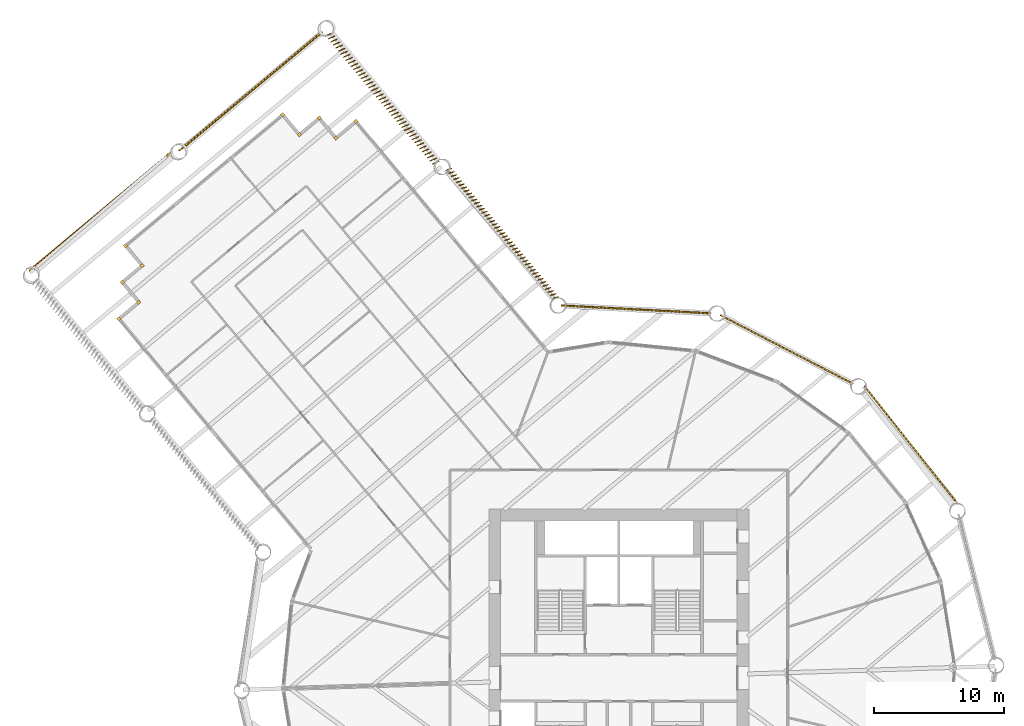
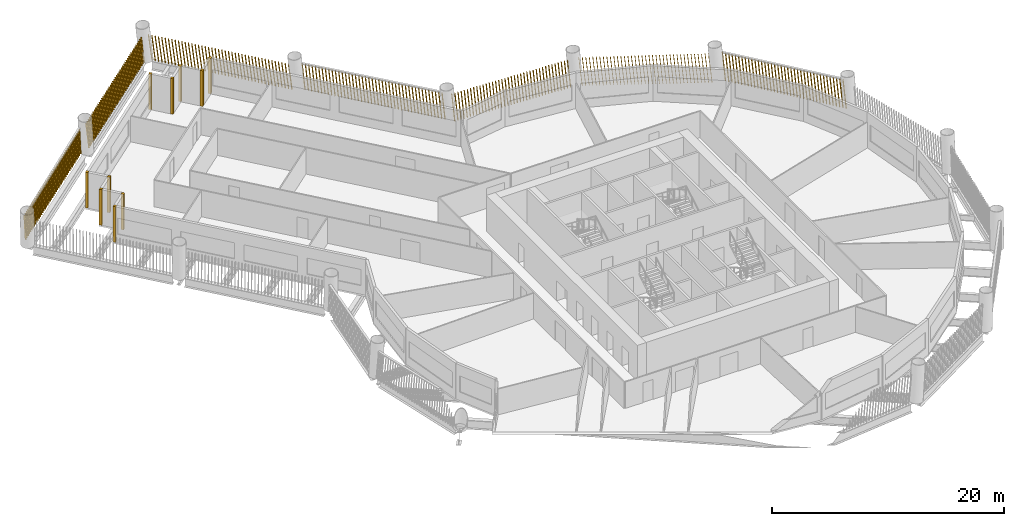
# One storey, part 14 of 15: 17 shading devices.
"""IFC4 building model written with IfcOpenShell, lengths in metres."""

from ifc_helpers import new_model, si_unit, direction, frame, frame_2d, origin, origin_2d, place, context, subcontext, project, spatial, rectangle, composite_profile, extrude, material, type_object, element, save


model = new_model("IFC4")

# Units and contexts
model_context = context("Model", 3, precision=1e-05, world=origin(), true_north=direction((0.0, 1.0)))
body_context = subcontext(model_context, "Body", "Model", "MODEL_VIEW")
ifc_project = project(units=[si_unit("LENGTHUNIT", "METRE"), si_unit("AREAUNIT", "SQUARE_METRE"), si_unit("VOLUMEUNIT", "CUBIC_METRE"), si_unit("PLANEANGLEUNIT", "RADIAN"), si_unit("MASSUNIT", "GRAM", prefix="KILO")], contexts=[model_context])

# Site, building, storey
site_placement = place(None, origin())
site = spatial("IfcSite", under=ifc_project, at=site_placement, CompositionType="ELEMENT")
building_placement = place(site_placement, origin())
building = spatial("IfcBuilding", under=site, at=building_placement, Name="Tarsis Ring Headquarters", CompositionType="ELEMENT")
storey_placement = place(building_placement, frame((0.0, 0.0, 43.89990234375)))
storey = spatial("IfcBuildingStorey", under=building, at=storey_placement, Name="L08", CompositionType="ELEMENT", Elevation=43.89990234375)

# Shading devices
ifc_material = material(Name="Terracotta baguette", Category="masonry")
shading_device_type_1 = type_object("IfcShadingDeviceType", Name="Terracotta baguette screen", PredefinedType="USERDEFINED", material=ifc_material)
shading_device_1_placement = place(storey_placement, frame((26.06103515625, 13.423828125, 0.0), z_axis=(0.0, 0.0, 1.0), x_axis=(-0.619967444384, 0.784633749322, 0.0)))
element("IfcShadingDevice", 1, at=shading_device_1_placement, inside=storey, type_object=shading_device_type_1, Name="Baguette screen L08-12", ObjectType="Terracotta baguette screen", PredefinedType="USERDEFINED", context=body_context, shape_type="SweptSolid", body=[
    extrude(composite_profile([rectangle(XDim=0.06005859375, YDim=0.1201171875, at=frame_2d((0.030029296875, 0.0))), rectangle(XDim=0.06005859375, YDim=0.1201171875, at=frame_2d((0.33251953125, 0.0))), rectangle(XDim=0.06005859375, YDim=0.1201171875, at=frame_2d((0.634765625, 0.0))), rectangle(XDim=0.06005859375, YDim=0.1201171875, at=frame_2d((0.937255859375, 0.0))), rectangle(XDim=0.06005859375, YDim=0.1201171875, at=frame_2d((1.239501953125, 0.0))), rectangle(XDim=0.06005859375, YDim=0.1201171875, at=frame_2d((1.5419921875, 0.0))), rectangle(XDim=0.06005859375, YDim=0.1201171875, at=frame_2d((1.844482421875, 0.0))), rectangle(XDim=0.06005859375, YDim=0.1201171875, at=frame_2d((2.146728515625, 0.0))), rectangle(XDim=0.06005859375, YDim=0.1201171875, at=frame_2d((2.44921875, 0.0))), rectangle(XDim=0.06005859375, YDim=0.1201171875, at=frame_2d((2.751708984375, 0.0))), rectangle(XDim=0.06005859375, YDim=0.1201171875, at=frame_2d((3.053955078125, 0.0))), rectangle(XDim=0.06005859375, YDim=0.1201171875, at=frame_2d((3.3564453125, 0.0))), rectangle(XDim=0.06005859375, YDim=0.1201171875, at=frame_2d((3.65869140625, 0.0))), rectangle(XDim=0.06005859375, YDim=0.1201171875, at=frame_2d((3.961181640625, 0.0))), rectangle(XDim=0.06005859375, YDim=0.1201171875, at=frame_2d((4.263671875, 0.0))), rectangle(XDim=0.06005859375, YDim=0.1201171875, at=frame_2d((4.56591796875, 0.0))), rectangle(XDim=0.06005859375, YDim=0.1201171875, at=frame_2d((4.868408203125, 0.0))), rectangle(XDim=0.06005859375, YDim=0.1201171875, at=frame_2d((5.1708984375, 0.0))), rectangle(XDim=0.06005859375, YDim=0.1201171875, at=frame_2d((5.47314453125, 0.0))), rectangle(XDim=0.06005859375, YDim=0.1201171875, at=frame_2d((5.775634765625, 0.0))), rectangle(XDim=0.06005859375, YDim=0.1201171875, at=frame_2d((6.077880859375, 0.0))), rectangle(XDim=0.06005859375, YDim=0.1201171875, at=frame_2d((6.38037109375, 0.0))), rectangle(XDim=0.06005859375, YDim=0.1201171875, at=frame_2d((6.682861328125, 0.0))), rectangle(XDim=0.06005859375, YDim=0.1201171875, at=frame_2d((6.985107421875, 0.0))), rectangle(XDim=0.06005859375, YDim=0.1201171875, at=frame_2d((7.28759765625, 0.0))), rectangle(XDim=0.06005859375, YDim=0.1201171875, at=frame_2d((7.590087890625, 0.0))), rectangle(XDim=0.06005859375, YDim=0.1201171875, at=frame_2d((7.892333984375, 0.0))), rectangle(XDim=0.06005859375, YDim=0.1201171875, at=frame_2d((8.19482421875, 0.0))), rectangle(XDim=0.06005859375, YDim=0.1201171875, at=frame_2d((8.4970703125, 0.0))), rectangle(XDim=0.06005859375, YDim=0.1201171875, at=frame_2d((8.799560546875, 0.0))), rectangle(XDim=0.06005859375, YDim=0.1201171875, at=frame_2d((9.10205078125, 0.0))), rectangle(XDim=0.06005859375, YDim=0.1201171875, at=frame_2d((9.404296875, 0.0))), rectangle(XDim=0.06005859375, YDim=0.1201171875, at=frame_2d((9.706787109375, 0.0))), rectangle(XDim=0.06005859375, YDim=0.1201171875, at=frame_2d((10.00927734375, 0.0))), rectangle(XDim=0.06005859375, YDim=0.1201171875, at=frame_2d((10.3115234375, 0.0))), rectangle(XDim=0.06005859375, YDim=0.1201171875, at=frame_2d((10.614013671875, 0.0))), rectangle(XDim=0.06005859375, YDim=0.1201171875, at=frame_2d((10.916259765625, 0.0))), rectangle(XDim=0.06005859375, YDim=0.1201171875, at=frame_2d((11.21875, 0.0)))]), origin(), (0.101510741627, 0.000531881086, 0.994834300995), 2.968017578125),
])
shading_device_2_placement = place(storey_placement, frame((18.038818359375, 22.639404296875, 0.0), z_axis=(0.0, 0.0, 1.0), x_axis=(-0.888269126424, 0.459338035811, 0.0)))
element("IfcShadingDevice", 2, at=shading_device_2_placement, inside=storey, type_object=shading_device_type_1, Name="Baguette screen L08-13", ObjectType="Terracotta baguette screen", PredefinedType="USERDEFINED", context=body_context, shape_type="SweptSolid", body=[
    extrude(composite_profile([rectangle(XDim=0.06005859375, YDim=0.1201171875, at=frame_2d((0.030029296875, 0.0))), rectangle(XDim=0.06005859375, YDim=0.1201171875, at=frame_2d((0.33251953125, 0.0))), rectangle(XDim=0.06005859375, YDim=0.1201171875, at=frame_2d((0.634765625, 0.0))), rectangle(XDim=0.06005859375, YDim=0.1201171875, at=frame_2d((0.937255859375, 0.0))), rectangle(XDim=0.06005859375, YDim=0.1201171875, at=frame_2d((1.239501953125, 0.0))), rectangle(XDim=0.06005859375, YDim=0.1201171875, at=frame_2d((1.5419921875, 0.0))), rectangle(XDim=0.06005859375, YDim=0.1201171875, at=frame_2d((1.844482421875, 0.0))), rectangle(XDim=0.06005859375, YDim=0.1201171875, at=frame_2d((2.146728515625, 0.0))), rectangle(XDim=0.06005859375, YDim=0.1201171875, at=frame_2d((2.44921875, 0.0))), rectangle(XDim=0.06005859375, YDim=0.1201171875, at=frame_2d((2.751708984375, 0.0))), rectangle(XDim=0.06005859375, YDim=0.1201171875, at=frame_2d((3.053955078125, 0.0))), rectangle(XDim=0.06005859375, YDim=0.1201171875, at=frame_2d((3.3564453125, 0.0))), rectangle(XDim=0.06005859375, YDim=0.1201171875, at=frame_2d((3.65869140625, 0.0))), rectangle(XDim=0.06005859375, YDim=0.1201171875, at=frame_2d((3.961181640625, 0.0))), rectangle(XDim=0.06005859375, YDim=0.1201171875, at=frame_2d((4.263671875, 0.0))), rectangle(XDim=0.06005859375, YDim=0.1201171875, at=frame_2d((4.56591796875, 0.0))), rectangle(XDim=0.06005859375, YDim=0.1201171875, at=frame_2d((4.868408203125, 0.0))), rectangle(XDim=0.06005859375, YDim=0.1201171875, at=frame_2d((5.1708984375, 0.0))), rectangle(XDim=0.06005859375, YDim=0.1201171875, at=frame_2d((5.47314453125, 0.0))), rectangle(XDim=0.06005859375, YDim=0.1201171875, at=frame_2d((5.775634765625, 0.0))), rectangle(XDim=0.06005859375, YDim=0.1201171875, at=frame_2d((6.077880859375, 0.0))), rectangle(XDim=0.06005859375, YDim=0.1201171875, at=frame_2d((6.38037109375, 0.0))), rectangle(XDim=0.06005859375, YDim=0.1201171875, at=frame_2d((6.682861328125, 0.0))), rectangle(XDim=0.06005859375, YDim=0.1201171875, at=frame_2d((6.985107421875, 0.0))), rectangle(XDim=0.06005859375, YDim=0.1201171875, at=frame_2d((7.28759765625, 0.0))), rectangle(XDim=0.06005859375, YDim=0.1201171875, at=frame_2d((7.590087890625, 0.0))), rectangle(XDim=0.06005859375, YDim=0.1201171875, at=frame_2d((7.892333984375, 0.0))), rectangle(XDim=0.06005859375, YDim=0.1201171875, at=frame_2d((8.19482421875, 0.0))), rectangle(XDim=0.06005859375, YDim=0.1201171875, at=frame_2d((8.4970703125, 0.0))), rectangle(XDim=0.06005859375, YDim=0.1201171875, at=frame_2d((8.799560546875, 0.0))), rectangle(XDim=0.06005859375, YDim=0.1201171875, at=frame_2d((9.10205078125, 0.0))), rectangle(XDim=0.06005859375, YDim=0.1201171875, at=frame_2d((9.404296875, 0.0))), rectangle(XDim=0.06005859375, YDim=0.1201171875, at=frame_2d((9.706787109375, 0.0))), rectangle(XDim=0.06005859375, YDim=0.1201171875, at=frame_2d((10.00927734375, 0.0))), rectangle(XDim=0.06005859375, YDim=0.1201171875, at=frame_2d((10.3115234375, 0.0))), rectangle(XDim=0.06005859375, YDim=0.1201171875, at=frame_2d((10.614013671875, 0.0))), rectangle(XDim=0.06005859375, YDim=0.1201171875, at=frame_2d((10.916259765625, 0.0))), rectangle(XDim=0.06005859375, YDim=0.1201171875, at=frame_2d((11.21875, 0.0)))]), origin(), (0.100201064399, 0.00052546851, 0.994967070096), 2.967529296875),
])
shading_device_3_placement = place(storey_placement, frame((7.103515625, 28.06201171875, 0.0), z_axis=(0.0, 0.0, 1.0), x_axis=(-0.998632664135, 0.052371134021, 0.0)))
element("IfcShadingDevice", 3, at=shading_device_3_placement, inside=storey, type_object=shading_device_type_1, Name="Baguette screen L08-14", ObjectType="Terracotta baguette screen", PredefinedType="USERDEFINED", context=body_context, shape_type="SweptSolid", body=[
    extrude(composite_profile([rectangle(XDim=0.06005859375, YDim=0.1201171875, at=frame_2d((0.030029296875, 0.0))), rectangle(XDim=0.06005859375, YDim=0.1201171875, at=frame_2d((0.33251953125, 0.0))), rectangle(XDim=0.06005859375, YDim=0.1201171875, at=frame_2d((0.634765625, 0.0))), rectangle(XDim=0.06005859375, YDim=0.1201171875, at=frame_2d((0.937255859375, 0.0))), rectangle(XDim=0.06005859375, YDim=0.1201171875, at=frame_2d((1.239501953125, 0.0))), rectangle(XDim=0.06005859375, YDim=0.1201171875, at=frame_2d((1.5419921875, 0.0))), rectangle(XDim=0.06005859375, YDim=0.1201171875, at=frame_2d((1.844482421875, 0.0))), rectangle(XDim=0.06005859375, YDim=0.1201171875, at=frame_2d((2.146728515625, 0.0))), rectangle(XDim=0.06005859375, YDim=0.1201171875, at=frame_2d((2.44921875, 0.0))), rectangle(XDim=0.06005859375, YDim=0.1201171875, at=frame_2d((2.751708984375, 0.0))), rectangle(XDim=0.06005859375, YDim=0.1201171875, at=frame_2d((3.053955078125, 0.0))), rectangle(XDim=0.06005859375, YDim=0.1201171875, at=frame_2d((3.3564453125, 0.0))), rectangle(XDim=0.06005859375, YDim=0.1201171875, at=frame_2d((3.65869140625, 0.0))), rectangle(XDim=0.06005859375, YDim=0.1201171875, at=frame_2d((3.961181640625, 0.0))), rectangle(XDim=0.06005859375, YDim=0.1201171875, at=frame_2d((4.263671875, 0.0))), rectangle(XDim=0.06005859375, YDim=0.1201171875, at=frame_2d((4.56591796875, 0.0))), rectangle(XDim=0.06005859375, YDim=0.1201171875, at=frame_2d((4.868408203125, 0.0))), rectangle(XDim=0.06005859375, YDim=0.1201171875, at=frame_2d((5.1708984375, 0.0))), rectangle(XDim=0.06005859375, YDim=0.1201171875, at=frame_2d((5.47314453125, 0.0))), rectangle(XDim=0.06005859375, YDim=0.1201171875, at=frame_2d((5.775634765625, 0.0))), rectangle(XDim=0.06005859375, YDim=0.1201171875, at=frame_2d((6.077880859375, 0.0))), rectangle(XDim=0.06005859375, YDim=0.1201171875, at=frame_2d((6.38037109375, 0.0))), rectangle(XDim=0.06005859375, YDim=0.1201171875, at=frame_2d((6.682861328125, 0.0))), rectangle(XDim=0.06005859375, YDim=0.1201171875, at=frame_2d((6.985107421875, 0.0))), rectangle(XDim=0.06005859375, YDim=0.1201171875, at=frame_2d((7.28759765625, 0.0))), rectangle(XDim=0.06005859375, YDim=0.1201171875, at=frame_2d((7.590087890625, 0.0))), rectangle(XDim=0.06005859375, YDim=0.1201171875, at=frame_2d((7.892333984375, 0.0))), rectangle(XDim=0.06005859375, YDim=0.1201171875, at=frame_2d((8.19482421875, 0.0))), rectangle(XDim=0.06005859375, YDim=0.1201171875, at=frame_2d((8.4970703125, 0.0))), rectangle(XDim=0.06005859375, YDim=0.1201171875, at=frame_2d((8.799560546875, 0.0))), rectangle(XDim=0.06005859375, YDim=0.1201171875, at=frame_2d((9.10205078125, 0.0))), rectangle(XDim=0.06005859375, YDim=0.1201171875, at=frame_2d((9.404296875, 0.0))), rectangle(XDim=0.06005859375, YDim=0.1201171875, at=frame_2d((9.706787109375, 0.0))), rectangle(XDim=0.06005859375, YDim=0.1201171875, at=frame_2d((10.00927734375, 0.0))), rectangle(XDim=0.06005859375, YDim=0.1201171875, at=frame_2d((10.3115234375, 0.0))), rectangle(XDim=0.06005859375, YDim=0.1201171875, at=frame_2d((10.614013671875, 0.0))), rectangle(XDim=0.06005859375, YDim=0.1201171875, at=frame_2d((10.916259765625, 0.0))), rectangle(XDim=0.06005859375, YDim=0.1201171875, at=frame_2d((11.21875, 0.0)))]), origin(), (0.100201028151, 0.000525935056, 0.9949670735), 2.967529296875),
])
shading_device_4_placement = place(storey_placement, frame((-4.6611328125, 29.301513671875, 0.0), z_axis=(0.0, 0.0, 1.0), x_axis=(-0.640118831365, 0.768278837421, 0.0)))
element("IfcShadingDevice", 4, at=shading_device_4_placement, inside=storey, type_object=shading_device_type_1, Name="Baguette screen L08-15", ObjectType="Terracotta baguette screen", PredefinedType="USERDEFINED", context=body_context, shape_type="SweptSolid", body=[
    extrude(composite_profile([rectangle(XDim=0.06005859375, YDim=0.1201171875, at=frame_2d((0.030029296875, 0.0))), rectangle(XDim=0.06005859375, YDim=0.1201171875, at=frame_2d((0.335693359375, 0.0))), rectangle(XDim=0.06005859375, YDim=0.1201171875, at=frame_2d((0.6416015625, 0.0))), rectangle(XDim=0.06005859375, YDim=0.1201171875, at=frame_2d((0.947265625, 0.0))), rectangle(XDim=0.06005859375, YDim=0.1201171875, at=frame_2d((1.253173828125, 0.0))), rectangle(XDim=0.06005859375, YDim=0.1201171875, at=frame_2d((1.558837890625, 0.0))), rectangle(XDim=0.06005859375, YDim=0.1201171875, at=frame_2d((1.864501953125, 0.0))), rectangle(XDim=0.06005859375, YDim=0.1201171875, at=frame_2d((2.17041015625, 0.0))), rectangle(XDim=0.06005859375, YDim=0.1201171875, at=frame_2d((2.47607421875, 0.0))), rectangle(XDim=0.06005859375, YDim=0.1201171875, at=frame_2d((2.781982421875, 0.0))), rectangle(XDim=0.06005859375, YDim=0.1201171875, at=frame_2d((3.087646484375, 0.0))), rectangle(XDim=0.06005859375, YDim=0.1201171875, at=frame_2d((3.393310546875, 0.0))), rectangle(XDim=0.06005859375, YDim=0.1201171875, at=frame_2d((3.69921875, 0.0))), rectangle(XDim=0.06005859375, YDim=0.1201171875, at=frame_2d((4.0048828125, 0.0))), rectangle(XDim=0.06005859375, YDim=0.1201171875, at=frame_2d((4.310791015625, 0.0))), rectangle(XDim=0.06005859375, YDim=0.1201171875, at=frame_2d((4.616455078125, 0.0))), rectangle(XDim=0.06005859375, YDim=0.1201171875, at=frame_2d((4.922119140625, 0.0))), rectangle(XDim=0.06005859375, YDim=0.1201171875, at=frame_2d((5.22802734375, 0.0))), rectangle(XDim=0.06005859375, YDim=0.1201171875, at=frame_2d((5.53369140625, 0.0))), rectangle(XDim=0.06005859375, YDim=0.1201171875, at=frame_2d((5.839599609375, 0.0))), rectangle(XDim=0.06005859375, YDim=0.1201171875, at=frame_2d((6.145263671875, 0.0))), rectangle(XDim=0.06005859375, YDim=0.1201171875, at=frame_2d((6.451171875, 0.0))), rectangle(XDim=0.06005859375, YDim=0.1201171875, at=frame_2d((6.7568359375, 0.0))), rectangle(XDim=0.06005859375, YDim=0.1201171875, at=frame_2d((7.0625, 0.0))), rectangle(XDim=0.06005859375, YDim=0.1201171875, at=frame_2d((7.368408203125, 0.0))), rectangle(XDim=0.06005859375, YDim=0.1201171875, at=frame_2d((7.674072265625, 0.0))), rectangle(XDim=0.06005859375, YDim=0.1201171875, at=frame_2d((7.97998046875, 0.0))), rectangle(XDim=0.06005859375, YDim=0.1201171875, at=frame_2d((8.28564453125, 0.0))), rectangle(XDim=0.06005859375, YDim=0.1201171875, at=frame_2d((8.59130859375, 0.0))), rectangle(XDim=0.06005859375, YDim=0.1201171875, at=frame_2d((8.897216796875, 0.0))), rectangle(XDim=0.06005859375, YDim=0.1201171875, at=frame_2d((9.202880859375, 0.0))), rectangle(XDim=0.06005859375, YDim=0.1201171875, at=frame_2d((9.5087890625, 0.0))), rectangle(XDim=0.06005859375, YDim=0.1201171875, at=frame_2d((9.814453125, 0.0))), rectangle(XDim=0.06005859375, YDim=0.1201171875, at=frame_2d((10.1201171875, 0.0))), rectangle(XDim=0.06005859375, YDim=0.1201171875, at=frame_2d((10.426025390625, 0.0))), rectangle(XDim=0.06005859375, YDim=0.1201171875, at=frame_2d((10.731689453125, 0.0))), rectangle(XDim=0.06005859375, YDim=0.1201171875, at=frame_2d((11.03759765625, 0.0))), rectangle(XDim=0.06005859375, YDim=0.1201171875, at=frame_2d((11.34326171875, 0.0))), rectangle(XDim=0.06005859375, YDim=0.1201171875, at=frame_2d((11.64892578125, 0.0))), rectangle(XDim=0.06005859375, YDim=0.1201171875, at=frame_2d((11.954833984375, 0.0))), rectangle(XDim=0.06005859375, YDim=0.1201171875, at=frame_2d((12.260498046875, 0.0))), rectangle(XDim=0.06005859375, YDim=0.1201171875, at=frame_2d((12.56640625, 0.0))), rectangle(XDim=0.06005859375, YDim=0.1201171875, at=frame_2d((12.8720703125, 0.0)))]), origin(), (0.052813714105, 0.112699949986, 0.992224487138), 2.975830078125),
])
shading_device_5_placement = place(storey_placement, frame((-13.848388671875, 39.7421875, 0.0), z_axis=(0.0, 0.0, 1.0), x_axis=(-0.640112021496, 0.768293375215, 0.0)))
element("IfcShadingDevice", 5, at=shading_device_5_placement, inside=storey, type_object=shading_device_type_1, Name="Baguette screen L08-16", ObjectType="Terracotta baguette screen", PredefinedType="USERDEFINED", context=body_context, shape_type="SweptSolid", body=[
    extrude(composite_profile([rectangle(XDim=0.06005859375, YDim=0.1201171875, at=frame_2d((0.030029296875, 0.0))), rectangle(XDim=0.06005859375, YDim=0.1201171875, at=frame_2d((0.335693359375, 0.0))), rectangle(XDim=0.06005859375, YDim=0.1201171875, at=frame_2d((0.6416015625, 0.0))), rectangle(XDim=0.06005859375, YDim=0.1201171875, at=frame_2d((0.947265625, 0.0))), rectangle(XDim=0.06005859375, YDim=0.1201171875, at=frame_2d((1.253173828125, 0.0))), rectangle(XDim=0.06005859375, YDim=0.1201171875, at=frame_2d((1.558837890625, 0.0))), rectangle(XDim=0.06005859375, YDim=0.1201171875, at=frame_2d((1.864501953125, 0.0))), rectangle(XDim=0.06005859375, YDim=0.1201171875, at=frame_2d((2.17041015625, 0.0))), rectangle(XDim=0.06005859375, YDim=0.1201171875, at=frame_2d((2.47607421875, 0.0))), rectangle(XDim=0.06005859375, YDim=0.1201171875, at=frame_2d((2.781982421875, 0.0))), rectangle(XDim=0.06005859375, YDim=0.1201171875, at=frame_2d((3.087646484375, 0.0))), rectangle(XDim=0.06005859375, YDim=0.1201171875, at=frame_2d((3.393310546875, 0.0))), rectangle(XDim=0.06005859375, YDim=0.1201171875, at=frame_2d((3.69921875, 0.0))), rectangle(XDim=0.06005859375, YDim=0.1201171875, at=frame_2d((4.0048828125, 0.0))), rectangle(XDim=0.06005859375, YDim=0.1201171875, at=frame_2d((4.310791015625, 0.0))), rectangle(XDim=0.06005859375, YDim=0.1201171875, at=frame_2d((4.616455078125, 0.0))), rectangle(XDim=0.06005859375, YDim=0.1201171875, at=frame_2d((4.922119140625, 0.0))), rectangle(XDim=0.06005859375, YDim=0.1201171875, at=frame_2d((5.22802734375, 0.0))), rectangle(XDim=0.06005859375, YDim=0.1201171875, at=frame_2d((5.53369140625, 0.0))), rectangle(XDim=0.06005859375, YDim=0.1201171875, at=frame_2d((5.839599609375, 0.0))), rectangle(XDim=0.06005859375, YDim=0.1201171875, at=frame_2d((6.145263671875, 0.0))), rectangle(XDim=0.06005859375, YDim=0.1201171875, at=frame_2d((6.451171875, 0.0))), rectangle(XDim=0.06005859375, YDim=0.1201171875, at=frame_2d((6.7568359375, 0.0))), rectangle(XDim=0.06005859375, YDim=0.1201171875, at=frame_2d((7.0625, 0.0))), rectangle(XDim=0.06005859375, YDim=0.1201171875, at=frame_2d((7.368408203125, 0.0))), rectangle(XDim=0.06005859375, YDim=0.1201171875, at=frame_2d((7.674072265625, 0.0))), rectangle(XDim=0.06005859375, YDim=0.1201171875, at=frame_2d((7.97998046875, 0.0))), rectangle(XDim=0.06005859375, YDim=0.1201171875, at=frame_2d((8.28564453125, 0.0))), rectangle(XDim=0.06005859375, YDim=0.1201171875, at=frame_2d((8.59130859375, 0.0))), rectangle(XDim=0.06005859375, YDim=0.1201171875, at=frame_2d((8.897216796875, 0.0))), rectangle(XDim=0.06005859375, YDim=0.1201171875, at=frame_2d((9.202880859375, 0.0))), rectangle(XDim=0.06005859375, YDim=0.1201171875, at=frame_2d((9.5087890625, 0.0))), rectangle(XDim=0.06005859375, YDim=0.1201171875, at=frame_2d((9.814453125, 0.0))), rectangle(XDim=0.06005859375, YDim=0.1201171875, at=frame_2d((10.1201171875, 0.0))), rectangle(XDim=0.06005859375, YDim=0.1201171875, at=frame_2d((10.426025390625, 0.0))), rectangle(XDim=0.06005859375, YDim=0.1201171875, at=frame_2d((10.731689453125, 0.0))), rectangle(XDim=0.06005859375, YDim=0.1201171875, at=frame_2d((11.03759765625, 0.0))), rectangle(XDim=0.06005859375, YDim=0.1201171875, at=frame_2d((11.34326171875, 0.0))), rectangle(XDim=0.06005859375, YDim=0.1201171875, at=frame_2d((11.64892578125, 0.0))), rectangle(XDim=0.06005859375, YDim=0.1201171875, at=frame_2d((11.954833984375, 0.0))), rectangle(XDim=0.06005859375, YDim=0.1201171875, at=frame_2d((12.260498046875, 0.0))), rectangle(XDim=0.06005859375, YDim=0.1201171875, at=frame_2d((12.56640625, 0.0))), rectangle(XDim=0.06005859375, YDim=0.1201171875, at=frame_2d((12.8720703125, 0.0)))]), origin(), (0.050899984095, 0.160556629011, 0.985713325719), 2.995361328125),
])
shading_device_6_placement = place(storey_placement, frame((-22.811279296875, 49.718994140625, 0.0), z_axis=(0.0, 0.0, 1.0), x_axis=(-0.768279522335, -0.640106147722, 0.0)))
element("IfcShadingDevice", 6, at=shading_device_6_placement, inside=storey, type_object=shading_device_type_1, Name="Baguette screen L08-17", ObjectType="Terracotta baguette screen", PredefinedType="USERDEFINED", context=body_context, shape_type="SweptSolid", body=[
    extrude(composite_profile([rectangle(XDim=0.06005859375, YDim=0.1201171875, at=frame_2d((0.030029296875, 0.0))), rectangle(XDim=0.06005859375, YDim=0.1201171875, at=frame_2d((0.33544921875, 0.0))), rectangle(XDim=0.06005859375, YDim=0.1201171875, at=frame_2d((0.640625, 0.0))), rectangle(XDim=0.06005859375, YDim=0.1201171875, at=frame_2d((0.946044921875, 0.0))), rectangle(XDim=0.06005859375, YDim=0.1201171875, at=frame_2d((1.25146484375, 0.0))), rectangle(XDim=0.06005859375, YDim=0.1201171875, at=frame_2d((1.556640625, 0.0))), rectangle(XDim=0.06005859375, YDim=0.1201171875, at=frame_2d((1.862060546875, 0.0))), rectangle(XDim=0.06005859375, YDim=0.1201171875, at=frame_2d((2.16748046875, 0.0))), rectangle(XDim=0.06005859375, YDim=0.1201171875, at=frame_2d((2.47265625, 0.0))), rectangle(XDim=0.06005859375, YDim=0.1201171875, at=frame_2d((2.778076171875, 0.0))), rectangle(XDim=0.06005859375, YDim=0.1201171875, at=frame_2d((3.08349609375, 0.0))), rectangle(XDim=0.06005859375, YDim=0.1201171875, at=frame_2d((3.388671875, 0.0))), rectangle(XDim=0.06005859375, YDim=0.1201171875, at=frame_2d((3.694091796875, 0.0))), rectangle(XDim=0.06005859375, YDim=0.1201171875, at=frame_2d((3.99951171875, 0.0))), rectangle(XDim=0.06005859375, YDim=0.1201171875, at=frame_2d((4.3046875, 0.0))), rectangle(XDim=0.06005859375, YDim=0.1201171875, at=frame_2d((4.610107421875, 0.0))), rectangle(XDim=0.06005859375, YDim=0.1201171875, at=frame_2d((4.91552734375, 0.0))), rectangle(XDim=0.06005859375, YDim=0.1201171875, at=frame_2d((5.220703125, 0.0))), rectangle(XDim=0.06005859375, YDim=0.1201171875, at=frame_2d((5.526123046875, 0.0))), rectangle(XDim=0.06005859375, YDim=0.1201171875, at=frame_2d((5.83154296875, 0.0))), rectangle(XDim=0.06005859375, YDim=0.1201171875, at=frame_2d((6.13671875, 0.0))), rectangle(XDim=0.06005859375, YDim=0.1201171875, at=frame_2d((6.442138671875, 0.0))), rectangle(XDim=0.06005859375, YDim=0.1201171875, at=frame_2d((6.74755859375, 0.0))), rectangle(XDim=0.06005859375, YDim=0.1201171875, at=frame_2d((7.052734375, 0.0))), rectangle(XDim=0.06005859375, YDim=0.1201171875, at=frame_2d((7.358154296875, 0.0))), rectangle(XDim=0.06005859375, YDim=0.1201171875, at=frame_2d((7.66357421875, 0.0))), rectangle(XDim=0.06005859375, YDim=0.1201171875, at=frame_2d((7.96875, 0.0))), rectangle(XDim=0.06005859375, YDim=0.1201171875, at=frame_2d((8.274169921875, 0.0))), rectangle(XDim=0.06005859375, YDim=0.1201171875, at=frame_2d((8.57958984375, 0.0))), rectangle(XDim=0.06005859375, YDim=0.1201171875, at=frame_2d((8.884765625, 0.0))), rectangle(XDim=0.06005859375, YDim=0.1201171875, at=frame_2d((9.190185546875, 0.0))), rectangle(XDim=0.06005859375, YDim=0.1201171875, at=frame_2d((9.49560546875, 0.0))), rectangle(XDim=0.06005859375, YDim=0.1201171875, at=frame_2d((9.80078125, 0.0))), rectangle(XDim=0.06005859375, YDim=0.1201171875, at=frame_2d((10.106201171875, 0.0))), rectangle(XDim=0.06005859375, YDim=0.1201171875, at=frame_2d((10.41162109375, 0.0))), rectangle(XDim=0.06005859375, YDim=0.1201171875, at=frame_2d((10.716796875, 0.0))), rectangle(XDim=0.06005859375, YDim=0.1201171875, at=frame_2d((11.022216796875, 0.0))), rectangle(XDim=0.06005859375, YDim=0.1201171875, at=frame_2d((11.32763671875, 0.0))), rectangle(XDim=0.06005859375, YDim=0.1201171875, at=frame_2d((11.6328125, 0.0))), rectangle(XDim=0.06005859375, YDim=0.1201171875, at=frame_2d((11.938232421875, 0.0))), rectangle(XDim=0.06005859375, YDim=0.1201171875, at=frame_2d((12.24365234375, 0.0))), rectangle(XDim=0.06005859375, YDim=0.1201171875, at=frame_2d((12.548828125, 0.0))), rectangle(XDim=0.06005859375, YDim=0.1201171875, at=frame_2d((12.854248046875, 0.0))), rectangle(XDim=0.06005859375, YDim=0.1201171875, at=frame_2d((13.15966796875, 0.0))), rectangle(XDim=0.06005859375, YDim=0.1201171875, at=frame_2d((13.46484375, 0.0))), rectangle(XDim=0.06005859375, YDim=0.1201171875, at=frame_2d((13.770263671875, 0.0)))]), origin(), (0.184133449836, -0.024824315762, 0.982587719239), 3.0048828125),
])
shading_device_7_placement = place(storey_placement, frame((-34.421875, 40.533447265625, 0.0), z_axis=(0.0, 0.0, 1.0), x_axis=(-0.768279522335, -0.640106147722, 0.0)))
element("IfcShadingDevice", 7, at=shading_device_7_placement, inside=storey, type_object=shading_device_type_1, Name="Baguette screen L08-18", ObjectType="Terracotta baguette screen", PredefinedType="USERDEFINED", context=body_context, shape_type="SweptSolid", body=[
    extrude(composite_profile([rectangle(XDim=0.06005859375, YDim=0.1201171875, at=frame_2d((0.030029296875, 0.0))), rectangle(XDim=0.06005859375, YDim=0.1201171875, at=frame_2d((0.33544921875, 0.0))), rectangle(XDim=0.06005859375, YDim=0.1201171875, at=frame_2d((0.640625, 0.0))), rectangle(XDim=0.06005859375, YDim=0.1201171875, at=frame_2d((0.946044921875, 0.0))), rectangle(XDim=0.06005859375, YDim=0.1201171875, at=frame_2d((1.25146484375, 0.0))), rectangle(XDim=0.06005859375, YDim=0.1201171875, at=frame_2d((1.556640625, 0.0))), rectangle(XDim=0.06005859375, YDim=0.1201171875, at=frame_2d((1.862060546875, 0.0))), rectangle(XDim=0.06005859375, YDim=0.1201171875, at=frame_2d((2.16748046875, 0.0))), rectangle(XDim=0.06005859375, YDim=0.1201171875, at=frame_2d((2.47265625, 0.0))), rectangle(XDim=0.06005859375, YDim=0.1201171875, at=frame_2d((2.778076171875, 0.0))), rectangle(XDim=0.06005859375, YDim=0.1201171875, at=frame_2d((3.08349609375, 0.0))), rectangle(XDim=0.06005859375, YDim=0.1201171875, at=frame_2d((3.388671875, 0.0))), rectangle(XDim=0.06005859375, YDim=0.1201171875, at=frame_2d((3.694091796875, 0.0))), rectangle(XDim=0.06005859375, YDim=0.1201171875, at=frame_2d((3.99951171875, 0.0))), rectangle(XDim=0.06005859375, YDim=0.1201171875, at=frame_2d((4.3046875, 0.0))), rectangle(XDim=0.06005859375, YDim=0.1201171875, at=frame_2d((4.610107421875, 0.0))), rectangle(XDim=0.06005859375, YDim=0.1201171875, at=frame_2d((4.91552734375, 0.0))), rectangle(XDim=0.06005859375, YDim=0.1201171875, at=frame_2d((5.220703125, 0.0))), rectangle(XDim=0.06005859375, YDim=0.1201171875, at=frame_2d((5.526123046875, 0.0))), rectangle(XDim=0.06005859375, YDim=0.1201171875, at=frame_2d((5.83154296875, 0.0))), rectangle(XDim=0.06005859375, YDim=0.1201171875, at=frame_2d((6.13671875, 0.0))), rectangle(XDim=0.06005859375, YDim=0.1201171875, at=frame_2d((6.442138671875, 0.0))), rectangle(XDim=0.06005859375, YDim=0.1201171875, at=frame_2d((6.74755859375, 0.0))), rectangle(XDim=0.06005859375, YDim=0.1201171875, at=frame_2d((7.052734375, 0.0))), rectangle(XDim=0.06005859375, YDim=0.1201171875, at=frame_2d((7.358154296875, 0.0))), rectangle(XDim=0.06005859375, YDim=0.1201171875, at=frame_2d((7.66357421875, 0.0))), rectangle(XDim=0.06005859375, YDim=0.1201171875, at=frame_2d((7.96875, 0.0))), rectangle(XDim=0.06005859375, YDim=0.1201171875, at=frame_2d((8.274169921875, 0.0))), rectangle(XDim=0.06005859375, YDim=0.1201171875, at=frame_2d((8.57958984375, 0.0))), rectangle(XDim=0.06005859375, YDim=0.1201171875, at=frame_2d((8.884765625, 0.0))), rectangle(XDim=0.06005859375, YDim=0.1201171875, at=frame_2d((9.190185546875, 0.0))), rectangle(XDim=0.06005859375, YDim=0.1201171875, at=frame_2d((9.49560546875, 0.0))), rectangle(XDim=0.06005859375, YDim=0.1201171875, at=frame_2d((9.80078125, 0.0))), rectangle(XDim=0.06005859375, YDim=0.1201171875, at=frame_2d((10.106201171875, 0.0))), rectangle(XDim=0.06005859375, YDim=0.1201171875, at=frame_2d((10.41162109375, 0.0))), rectangle(XDim=0.06005859375, YDim=0.1201171875, at=frame_2d((10.716796875, 0.0))), rectangle(XDim=0.06005859375, YDim=0.1201171875, at=frame_2d((11.022216796875, 0.0))), rectangle(XDim=0.06005859375, YDim=0.1201171875, at=frame_2d((11.32763671875, 0.0))), rectangle(XDim=0.06005859375, YDim=0.1201171875, at=frame_2d((11.6328125, 0.0))), rectangle(XDim=0.06005859375, YDim=0.1201171875, at=frame_2d((11.938232421875, 0.0))), rectangle(XDim=0.06005859375, YDim=0.1201171875, at=frame_2d((12.24365234375, 0.0))), rectangle(XDim=0.06005859375, YDim=0.1201171875, at=frame_2d((12.548828125, 0.0))), rectangle(XDim=0.06005859375, YDim=0.1201171875, at=frame_2d((12.854248046875, 0.0))), rectangle(XDim=0.06005859375, YDim=0.1201171875, at=frame_2d((13.15966796875, 0.0))), rectangle(XDim=0.06005859375, YDim=0.1201171875, at=frame_2d((13.46484375, 0.0))), rectangle(XDim=0.06005859375, YDim=0.1201171875, at=frame_2d((13.770263671875, 0.0)))]), origin(), (0.18512528528, 0.026751350736, 0.982350748961), 3.005615234375),
])
shading_device_type_2 = type_object("IfcShadingDeviceType", Name="Terracotta corner baguette 250x250", PredefinedType="USERDEFINED", material=ifc_material)
for number, where, z_axis, x_axis, name in (
    (8, (-38.48828125, 27.643798828125, 0.0), (0.0, 0.0, 1.0), (-0.768283814066, -0.640109350849, 0.0), "Corner baguette L08-01"),
    (9, (-20.24169921875, 42.84619140625, 0.0), (0.0, 0.0, 1.0), (-0.640109712894, 0.768283512422, 0.0), "Corner baguette L08-32"),
    (10, (-21.7783203125, 41.566162109375, 0.0), (0.0, 0.0, 1.0), (-0.76828361297, -0.640109592212, 0.0), "Corner baguette L08-33"),
    (11, (-23.058349609375, 43.1025390625, 0.0), (0.0, 0.0, 1.0), (-0.640109592212, 0.76828361297, 0.0), "Corner baguette L08-34"),
    (12, (-24.594970703125, 41.822509765625, 0.0), (0.0, 0.0, 1.0), (-0.768283814066, -0.640109350849, 0.0), "Corner baguette L08-35"),
    (13, (-25.875244140625, 43.35888671875, 0.0), (0.0, 0.0, 1.0), (-0.640109833576, 0.768283411873, 0.0), "Corner baguette L08-36"),
    (14, (-37.9755859375, 33.27734375, 0.0), (0.0, 0.0, 1.0), (-0.768283545938, -0.640109672667, 0.0), "Corner baguette L08-37"),
    (15, (-36.695556640625, 31.74072265625, 0.0), (0.0, 0.0, 1.0), (0.640109350849, -0.768283814066, 0.0), "Corner baguette L08-38"),
    (16, (-38.23193359375, 30.46044921875, 0.0), (0.0, 0.0, 1.0), (-0.768283411873, -0.640109833576, 0.0), "Corner baguette L08-39"),
    (17, (-36.951904296875, 28.923828125, 0.0), (0.0, 0.0, 1.0), (0.640109592212, -0.76828361297, 0.0), "Corner baguette L08-40"),
):
    element("IfcShadingDevice", number, at=place(storey_placement, frame(where, z_axis=z_axis, x_axis=x_axis)), inside=storey, type_object=shading_device_type_2, Name=name, ObjectType="Terracotta corner baguette", PredefinedType="USERDEFINED", context=body_context, shape_type="SweptSolid", body=[
        extrude(rectangle(XDim=0.25, YDim=0.25, at=origin_2d()), origin(), (0.0, 0.0, 1.0), 3.739990234375),
    ])

save(model, "model.ifc")
